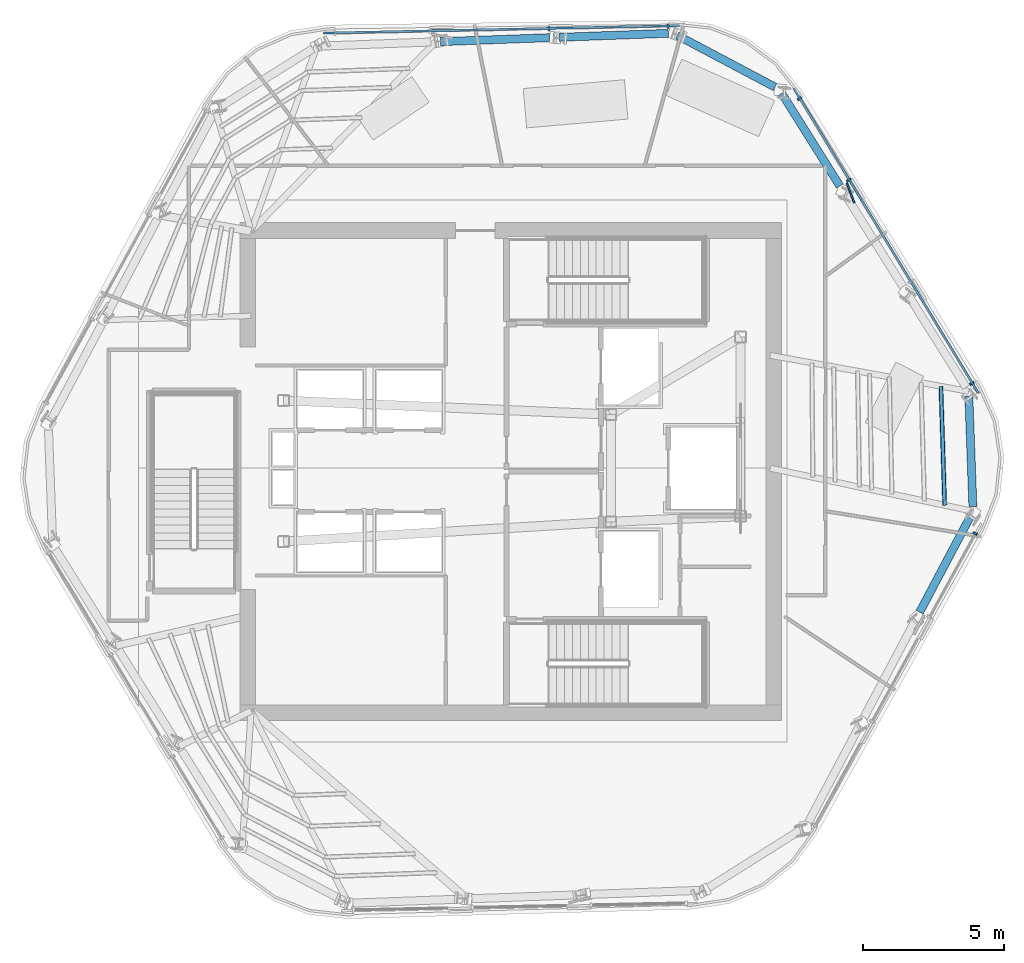
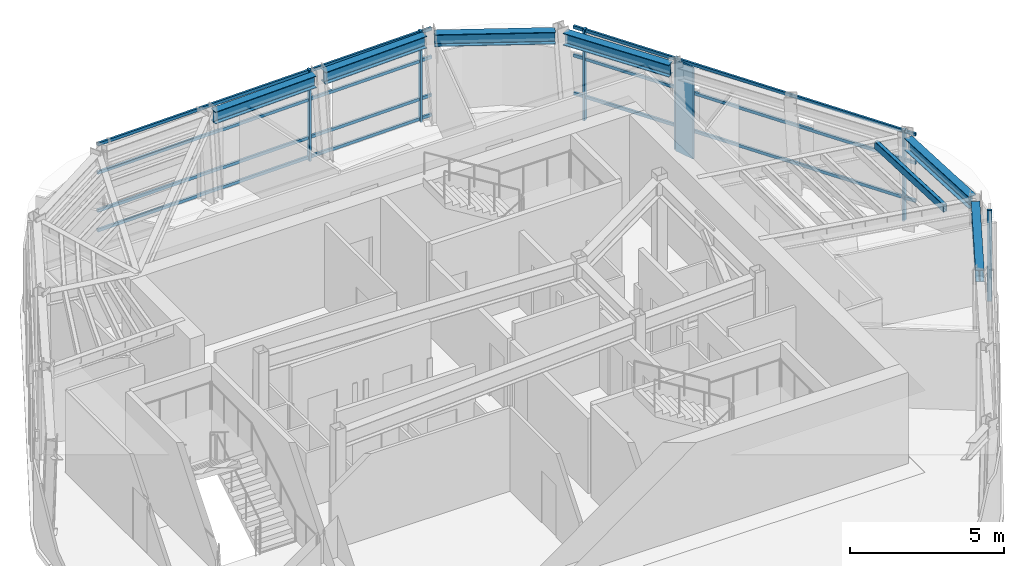
# One storey, part 5 of 13: 15 members, 6 beams, 3 elements without a shape of their own.
"""IFC4 building model written with IfcOpenShell, lengths in metres."""

from ifc_helpers import new_model, si_unit, direction, frame, origin, origin_2d, place, context, subcontext, project, spatial, rectangle, hollow_rectangle, i_section, extrude, material, layer, layer_set, material_profile, profile_set, type_object, element, aggregate, save


model = new_model("IFC4")

# Units and contexts
model_context = context("Model", 3, precision=1e-05, world=origin(), true_north=direction((0.0, 1.0)))
body_context = subcontext(model_context, "Body", "Model", "MODEL_VIEW")
ifc_project = project(units=[si_unit("LENGTHUNIT", "METRE"), si_unit("AREAUNIT", "SQUARE_METRE"), si_unit("VOLUMEUNIT", "CUBIC_METRE"), si_unit("PLANEANGLEUNIT", "RADIAN"), si_unit("MASSUNIT", "GRAM", prefix="KILO")], contexts=[model_context])

# Site, building, storey
site_placement = place(None, origin())
site = spatial("IfcSite", under=ifc_project, at=site_placement, CompositionType="ELEMENT")
building_placement = place(site_placement, origin())
building = spatial("IfcBuilding", under=site, at=building_placement, Name="Valkerne Bourse Tower", CompositionType="ELEMENT")
storey_placement = place(building_placement, frame((0.0, 0.0, 288.800048828125)))
storey = spatial("IfcBuildingStorey", under=building, at=storey_placement, Name="L73", CompositionType="ELEMENT", Elevation=288.800048828125)

# Beams
ifc_material_1 = material(Name="Steel ASTM A992", Category="steel")
ifc_material_profile_1 = material_profile(ifc_material_1, i_section(OverallWidth=0.284423828125, OverallDepth=0.47509765625, WebThickness=0.014892578125, FlangeThickness=0.02392578125, FilletRadius=0.017822265625, at=origin_2d()), Name="W18X106")
ifc_profile_set_1 = profile_set([ifc_material_profile_1], Name="Steel ASTM A992")
beam_type = type_object("IfcBeamType", Name="BM-W18X106", PredefinedType="BEAM", material=ifc_profile_set_1)
for number, where, z_axis, x_axis, name in (
    (1, (52.386962890625, 42.413818359375, 3.362548828125), (-0.999328754959, -0.036633857444, 0.0), (0.036633857444, -0.999328754959, 0.0), "L73 Hexagonal Spandrel Ring Beam 00"),
    (2, (48.177734375, 42.259521484375, 3.362548828125), (-0.999328754959, -0.036633857444, 0.0), (0.036633857444, -0.999328754959, 0.0), "L73 Hexagonal Spandrel Ring Beam 01"),
    (3, (61.297119140625, 21.8994140625, 3.362548828125), (0.467899308077, 0.883781781608, 0.0), (-0.883781781608, 0.467899308077, 0.0), "L73 Hexagonal Spandrel Ring Beam 18"),
):
    element("IfcBeam", number, at=place(storey_placement, frame(where, z_axis=z_axis, x_axis=x_axis)), inside=storey, type_object=beam_type, Name=name, PredefinedType="BEAM", context=body_context, shape_type="SweptSolid", body=[
        extrude(i_section(OverallWidth=0.284423828125, OverallDepth=0.47509765625, WebThickness=0.014892578125, FlangeThickness=0.02392578125, FilletRadius=0.017822265625, at=origin_2d()), origin(), (0.0, 0.0, 1.0), 3.8720703125),
    ])
beam_1_placement = place(storey_placement, frame((63.182373046875, 25.6416015625, 3.362548828125), z_axis=(-0.036661137987, 0.999327754524, 0.0), x_axis=(-0.999327754524, -0.036661137987, 0.0)))
element("IfcBeam", 4, at=beam_1_placement, inside=storey, type_object=beam_type, Name="L73 Hexagonal Spandrel Ring Beam 19", PredefinedType="BEAM", context=body_context, shape_type="SweptSolid", body=[
    extrude(i_section(OverallWidth=0.284423828125, OverallDepth=0.47509765625, WebThickness=0.014892578125, FlangeThickness=0.02392578125, FilletRadius=0.017822265625, at=origin_2d()), origin(), (0.0, 0.0, 1.0), 3.915771484375),
])
beam_2_placement = place(storey_placement, frame((58.4658203125, 37.004638671875, 3.362548828125), z_axis=(-0.531409456461, 0.847115098191, 0.0), x_axis=(-0.847115098191, -0.531409456461, 0.0)))
element("IfcBeam", 5, at=beam_2_placement, inside=storey, type_object=beam_type, Name="L73 Hexagonal Spandrel Ring Beam 22", PredefinedType="BEAM", context=body_context, shape_type="SweptSolid", body=[
    extrude(i_section(OverallWidth=0.284423828125, OverallDepth=0.47509765625, WebThickness=0.014892578125, FlangeThickness=0.02392578125, FilletRadius=0.017822265625, at=origin_2d()), origin(), (0.0, 0.0, 1.0), 3.8720703125),
])
beam_3_placement = place(storey_placement, frame((56.16748046875, 40.50830078125, 3.362548828125), z_axis=(-0.883759098528, 0.467942150025, 0.0), x_axis=(-0.467942150025, -0.883759098528, 0.0)))
element("IfcBeam", 6, at=beam_3_placement, inside=storey, type_object=beam_type, Name="L73 Hexagonal Spandrel Ring Beam 23", PredefinedType="BEAM", context=body_context, shape_type="SweptSolid", body=[
    extrude(i_section(OverallWidth=0.284423828125, OverallDepth=0.47509765625, WebThickness=0.014892578125, FlangeThickness=0.02392578125, FilletRadius=0.017822265625, at=origin_2d()), origin(), (0.0, 0.0, 1.0), 3.91552734375),
])

# Curtain wall, members
ifc_material_2 = material(Name="Aluminium AA 6063-T6", Category="aluminium")
ifc_layer = layer(ifc_material_2, 0.2451171875)
ifc_layer_set = layer_set([ifc_layer], Name="Aluminium AA 6063-T6")
curtain_wall_type = type_object("IfcCurtainWallType", Name="CW-05", PredefinedType="NOTDEFINED", material=ifc_layer_set)
curtain_wall_1_placement = place(storey_placement, origin())
curtain_wall_1 = element("IfcCurtainWall", 7, at=curtain_wall_1_placement, inside=storey, type_object=curtain_wall_type, Name="L73 Hexagonal Stick Curtain Wall Face 1", PredefinedType="NOTDEFINED")
ifc_material_profile_2 = material_profile(ifc_material_2, rectangle(XDim=0.074951171875, YDim=0.159912109375, at=origin_2d()), Name="CWM-75X160")
ifc_profile_set_2 = profile_set([ifc_material_profile_2], Name="Aluminium AA 6063-T6")
member_type_1 = type_object("IfcMemberType", Name="CW-MUL-160X75", PredefinedType="MULLION", material=ifc_profile_set_2)
member_1_placement = place(storey_placement, frame((52.371337890625, 42.65869140625, 0.0), z_axis=(0.0, 0.0, 1.0), x_axis=(-0.999780733034, -0.020940053823, 0.0)))
member_1 = element("IfcMember", 8, at=member_1_placement, type_object=member_type_1, Name="CW-L73-F1 Jamb Mullion 00A", PredefinedType="MULLION", context=body_context, shape_type="SweptSolid", body=[
    extrude(rectangle(XDim=0.074951171875, YDim=0.159912109375, at=origin_2d()), origin(), (0.0, 0.0, 1.0), 3.599853515625),
])
member_2_placement = place(storey_placement, frame((48.16015625, 42.570556640625, 0.0), z_axis=(0.0, 0.0, 1.0), x_axis=(-0.999780722623, -0.020940550871, 0.0)))
member_2 = element("IfcMember", 9, at=member_2_placement, type_object=member_type_1, Name="CW-L73-F1 Jamb Mullion 01A", PredefinedType="MULLION", context=body_context, shape_type="SweptSolid", body=[
    extrude(rectangle(XDim=0.074951171875, YDim=0.159912109375, at=origin_2d()), origin(), (0.0, 0.0, 1.0), 3.599853515625),
])

# Curtain wall, member
curtain_wall_2_placement = place(storey_placement, origin())
curtain_wall_2 = element("IfcCurtainWall", 10, at=curtain_wall_2_placement, inside=storey, type_object=curtain_wall_type, Name="L73 Hexagonal Stick Curtain Wall Face 5", PredefinedType="NOTDEFINED")
member_3_placement = place(storey_placement, frame((63.258056640625, 24.6826171875, 0.0), z_axis=(0.0, 0.0, 1.0), x_axis=(0.481763806894, 0.876301109418, 0.0)))
member_3 = element("IfcMember", 11, at=member_3_placement, type_object=member_type_1, Name="CW-L73-F5 Jamb Mullion 02B", PredefinedType="MULLION", context=body_context, shape_type="SweptSolid", body=[
    extrude(rectangle(XDim=0.074951171875, YDim=0.159912109375, at=origin_2d()), origin(), (0.0, 0.0, 1.0), 3.599853515625),
])
aggregate(curtain_wall_2, [member_3])

# Curtain wall, members
curtain_wall_3_placement = place(storey_placement, origin())
curtain_wall_3 = element("IfcCurtainWall", 12, at=curtain_wall_3_placement, inside=storey, type_object=curtain_wall_type, Name="L73 Hexagonal Stick Curtain Wall Face 6", PredefinedType="NOTDEFINED")
member_4_placement = place(storey_placement, frame((63.146484375, 30.004638671875, 0.0), z_axis=(0.0, 0.0, 1.0), x_axis=(-0.518038606247, 0.855357236737, 0.0)))
member_4 = element("IfcMember", 13, at=member_4_placement, type_object=member_type_1, Name="CW-L73-F6 Jamb Mullion 00A", PredefinedType="MULLION", context=body_context, shape_type="SweptSolid", body=[
    extrude(rectangle(XDim=0.074951171875, YDim=0.159912109375, at=origin_2d()), origin(), (0.0, 0.0, 1.0), 3.599853515625),
])
member_5_placement = place(storey_placement, frame((58.78271484375, 37.210205078125, 0.0), z_axis=(0.0, 0.0, 1.0), x_axis=(-0.51802123581, 0.855367756728, 0.0)))
member_5 = element("IfcMember", 14, at=member_5_placement, type_object=member_type_1, Name="CW-L73-F6 Jamb Mullion 02A", PredefinedType="MULLION", context=body_context, shape_type="SweptSolid", body=[
    extrude(rectangle(XDim=0.074951171875, YDim=0.159912109375, at=origin_2d()), origin(), (0.0, 0.0, 1.0), 3.599853515625),
])
member_6_placement = place(storey_placement, frame((57.035888671875, 40.094482421875, 0.0), z_axis=(0.0, 0.0, 1.0), x_axis=(-0.51802123581, 0.855367756728, 0.0)))
member_6 = element("IfcMember", 15, at=member_6_placement, type_object=member_type_1, Name="CW-L73-F6 Jamb Mullion 02B", PredefinedType="MULLION", context=body_context, shape_type="SweptSolid", body=[
    extrude(rectangle(XDim=0.074951171875, YDim=0.159912109375, at=origin_2d()), origin(), (0.0, 0.0, 1.0), 3.599853515625),
])

# Member
ifc_material_profile_3 = material_profile(ifc_material_2, rectangle(XDim=0.074951171875, YDim=0.1201171875, at=origin_2d()), Name="CWT-75X120")
ifc_profile_set_3 = profile_set([ifc_material_profile_3], Name="Aluminium AA 6063-T6")
member_type_2 = type_object("IfcMemberType", Name="CW-TRN-120X75", PredefinedType="USERDEFINED", material=ifc_profile_set_3)
member_7_placement = place(storey_placement, frame((52.790771484375, 42.6875, 0.119873046875), z_axis=(-0.999781048723, -0.020924975858, 0.0), x_axis=(0.020924975858, -0.999781048723, 0.0)))
member_7 = element("IfcMember", 16, at=member_7_placement, type_object=member_type_2, Name="CW-L73-F1 Continuous Face Transom 1", ObjectType="TRANSOM", PredefinedType="USERDEFINED", context=body_context, shape_type="SweptSolid", body=[
    extrude(rectangle(XDim=0.074951171875, YDim=0.1201171875, at=origin_2d()), origin(), (0.0, 0.0, 1.0), 12.6357421875),
])

member_8_placement = place(storey_placement, frame((52.790771484375, 42.6875, 0.89990234375), z_axis=(-0.999781048723, -0.020924975858, 0.0), x_axis=(0.020924975858, -0.999781048723, 0.0)))
member_8 = element("IfcMember", 17, at=member_8_placement, type_object=member_type_2, Name="CW-L73-F1 Continuous Face Transom 2", ObjectType="TRANSOM", PredefinedType="USERDEFINED", context=body_context, shape_type="SweptSolid", body=[
    extrude(rectangle(XDim=0.074951171875, YDim=0.1201171875, at=origin_2d()), origin(), (0.0, 0.0, 1.0), 12.6357421875),
])

member_9_placement = place(storey_placement, frame((52.790771484375, 42.6875, 2.39990234375), z_axis=(-0.999781048723, -0.020924975858, 0.0), x_axis=(0.020924975858, -0.999781048723, 0.0)))
member_9 = element("IfcMember", 18, at=member_9_placement, type_object=member_type_2, Name="CW-L73-F1 Continuous Face Transom 3", ObjectType="TRANSOM", PredefinedType="USERDEFINED", context=body_context, shape_type="SweptSolid", body=[
    extrude(rectangle(XDim=0.074951171875, YDim=0.1201171875, at=origin_2d()), origin(), (0.0, 0.0, 1.0), 12.6357421875),
])

member_10_placement = place(storey_placement, frame((52.790771484375, 42.6875, 3.52001953125), z_axis=(-0.999781048723, -0.020924975858, 0.0), x_axis=(0.020924975858, -0.999781048723, 0.0)))
member_10 = element("IfcMember", 19, at=member_10_placement, type_object=member_type_2, Name="CW-L73-F1 Continuous Face Transom 4", ObjectType="TRANSOM", PredefinedType="USERDEFINED", context=body_context, shape_type="SweptSolid", body=[
    extrude(rectangle(XDim=0.074951171875, YDim=0.1201171875, at=origin_2d()), origin(), (0.0, 0.0, 1.0), 12.6357421875),
])

aggregate(curtain_wall_1, [member_7, member_8, member_9, member_10, member_1, member_2])

member_11_placement = place(storey_placement, frame((63.38134765625, 29.65576171875, 0.89990234375), z_axis=(-0.518034492736, 0.85535972803, 0.0), x_axis=(-0.85535972803, -0.518034492736, 0.0)))
member_11 = element("IfcMember", 20, at=member_11_placement, type_object=member_type_2, Name="CW-L73-F6 Continuous Face Transom 2", ObjectType="TRANSOM", PredefinedType="USERDEFINED", context=body_context, shape_type="SweptSolid", body=[
    extrude(rectangle(XDim=0.074951171875, YDim=0.1201171875, at=origin_2d()), origin(), (0.0, 0.0, 1.0), 12.635986328125),
])

member_12_placement = place(storey_placement, frame((63.38134765625, 29.65576171875, 2.39990234375), z_axis=(-0.518034492736, 0.85535972803, 0.0), x_axis=(-0.85535972803, -0.518034492736, 0.0)))
member_12 = element("IfcMember", 21, at=member_12_placement, type_object=member_type_2, Name="CW-L73-F6 Continuous Face Transom 3", ObjectType="TRANSOM", PredefinedType="USERDEFINED", context=body_context, shape_type="SweptSolid", body=[
    extrude(rectangle(XDim=0.074951171875, YDim=0.1201171875, at=origin_2d()), origin(), (0.0, 0.0, 1.0), 12.635986328125),
])

member_13_placement = place(storey_placement, frame((63.38134765625, 29.65576171875, 3.52001953125), z_axis=(-0.518034492736, 0.85535972803, 0.0), x_axis=(-0.85535972803, -0.518034492736, 0.0)))
member_13 = element("IfcMember", 22, at=member_13_placement, type_object=member_type_2, Name="CW-L73-F6 Continuous Face Transom 4", ObjectType="TRANSOM", PredefinedType="USERDEFINED", context=body_context, shape_type="SweptSolid", body=[
    extrude(rectangle(XDim=0.074951171875, YDim=0.1201171875, at=origin_2d()), origin(), (0.0, 0.0, 1.0), 12.635986328125),
])

aggregate(curtain_wall_3, [member_11, member_12, member_13, member_4, member_5, member_6])

# Members
ifc_material_3 = material(Name="Bronze Anodised Aluminium AA 6063-T6", Category="aluminium")
ifc_material_profile_4 = material_profile(ifc_material_3, rectangle(XDim=0.06494140625, YDim=0.75, at=origin_2d()), Name="FIN-65X750")
ifc_profile_set_4 = profile_set([ifc_material_profile_4], Name="Bronze Anodised Aluminium AA 6063-T6")
member_type_3 = type_object("IfcMemberType", Name="FIN-SOLAR-650", PredefinedType="USERDEFINED", material=ifc_profile_set_4)
member_14_placement = place(storey_placement, frame((58.846435546875, 36.7578125, 0.00390625), z_axis=(0.0, 0.0, 1.0), x_axis=(0.937489216832, 0.34801432201, 0.0)))
element("IfcMember", 23, at=member_14_placement, inside=storey, type_object=member_type_3, Name="L73 Bronze Anodised Solar Fin F6-02", ObjectType="SOLAR_FIN", PredefinedType="USERDEFINED", context=body_context, shape_type="SweptSolid", body=[
    extrude(rectangle(XDim=0.06494140625, YDim=0.75, at=origin_2d()), origin(), (0.0, 0.0, 1.0), 3.592041015625),
])
ifc_material_4 = material(Name="Steel ASTM A500 Grade C", Category="steel")
ifc_material_profile_5 = material_profile(ifc_material_4, hollow_rectangle(XDim=0.14990234375, YDim=0.300048828125, WallThickness=0.012451171875, OuterFilletRadius=0.02490234375, at=origin_2d()), Name="HSS300X150X12.5")
ifc_profile_set_5 = profile_set([ifc_material_profile_5], Name="Steel ASTM A500 Grade C")
member_type_4 = type_object("IfcMemberType", Name="MBR-HSS300X150X12.5", PredefinedType="PURLIN", material=ifc_profile_set_5)
member_15_placement = place(storey_placement, frame((62.18212890625, 25.685791015625, 3.43994140625), z_axis=(-0.031765829625, 0.999495338693, 0.0), x_axis=(-0.999495338693, -0.031765829625, 0.0)))
element("IfcMember", 24, at=member_15_placement, inside=storey, type_object=member_type_4, Name="L73 Secondary Composite Floor Purlin T-19", PredefinedType="PURLIN", context=body_context, shape_type="SweptSolid", body=[
    extrude(hollow_rectangle(XDim=0.14990234375, YDim=0.300048828125, WallThickness=0.012451171875, OuterFilletRadius=0.02490234375, at=origin_2d()), origin(), (0.0, 0.0, 1.0), 4.219482421875),
])

save(model, "model.ifc")
